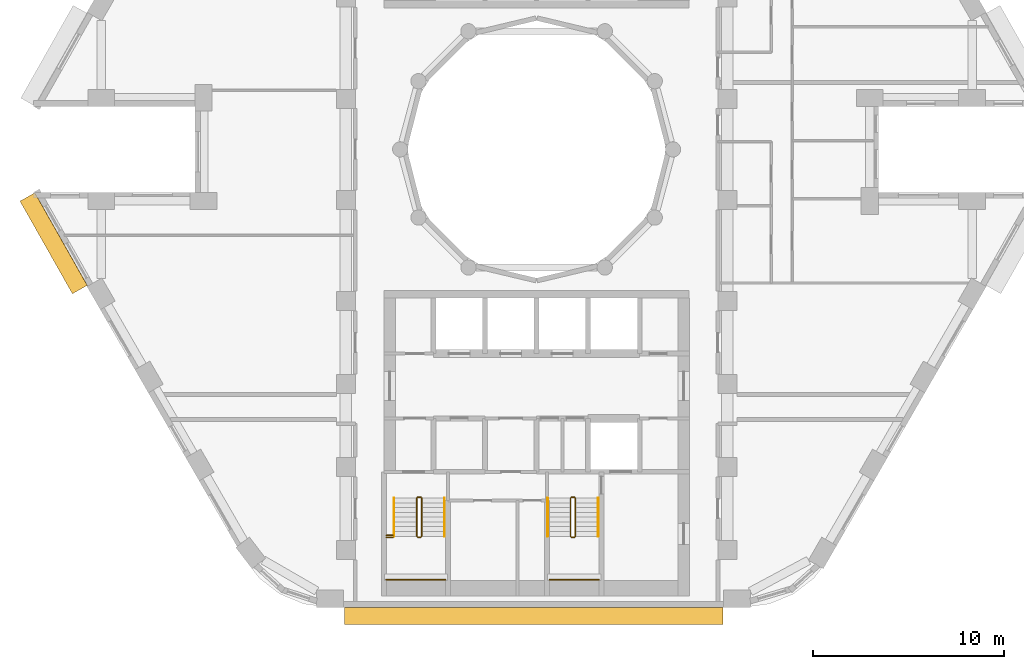
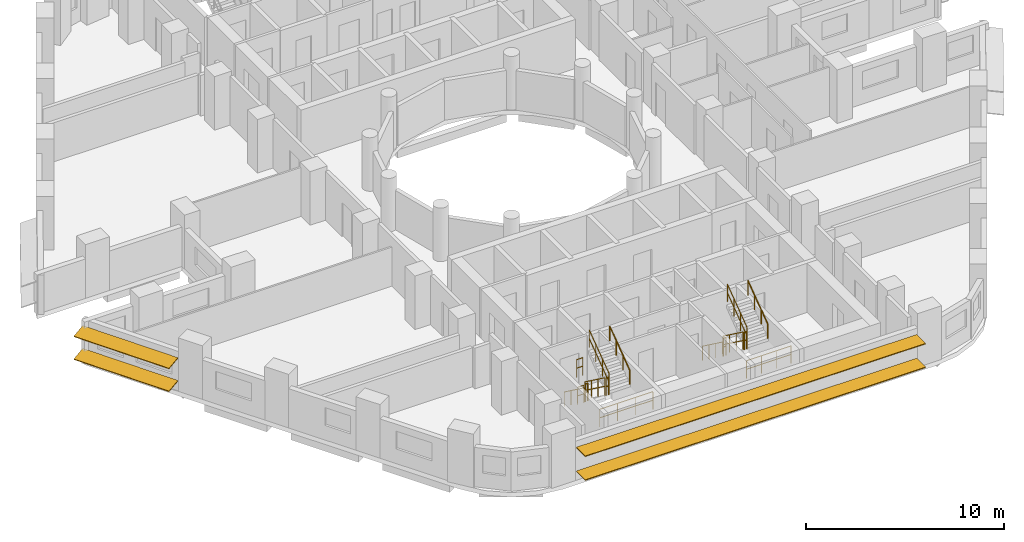
# One storey, part 11 of 13: 16 railings, 4 shading devices.
"""IFC4 building model written with IfcOpenShell, lengths in metres."""

from ifc_helpers import new_model, si_unit, direction, frame, origin, origin_2d, place, context, subcontext, project, spatial, rectangle, circle, extrude, material, material_profile, profile_set, type_object, element, save


model = new_model("IFC4")

# Units and contexts
model_context = context("Model", 3, precision=1e-05, world=origin(), true_north=direction((0.0, 1.0)))
body_context = subcontext(model_context, "Body", "Model", "MODEL_VIEW")
ifc_project = project(units=[si_unit("LENGTHUNIT", "METRE"), si_unit("AREAUNIT", "SQUARE_METRE"), si_unit("VOLUMEUNIT", "CUBIC_METRE"), si_unit("PLANEANGLEUNIT", "RADIAN"), si_unit("MASSUNIT", "GRAM", prefix="KILO")], contexts=[model_context])

# Site, building, storey
site_placement = place(None, origin())
site = spatial("IfcSite", under=ifc_project, at=site_placement, CompositionType="ELEMENT")
building_placement = place(site_placement, origin())
building = spatial("IfcBuilding", under=site, at=building_placement, Name="Nakaniwa Court", CompositionType="ELEMENT")
storey_placement = place(building_placement, frame((0.0, 0.0, 84.300048828125)))
storey = spatial("IfcBuildingStorey", under=building, at=storey_placement, Name="L21", CompositionType="ELEMENT", Elevation=84.300048828125)

# Shading devices
ifc_material_1 = material(Name="Perforated charcoal ceramic louvre blade")
ifc_material_profile = material_profile(ifc_material_1, rectangle(XDim=0.89990234375, YDim=0.050048828125, at=origin_2d()), Name="Perforated ceramic louvre blade")
ifc_profile_set = profile_set([ifc_material_profile], Name="Perforated charcoal ceramic louvre blade")
shading_device_type = type_object("IfcShadingDeviceType", Name="Perforated ceramic louvre blade", PredefinedType="JALOUSIE", material=ifc_profile_set)
for number, where, z_axis, x_axis, name in (
    (1, (53.31689453125, 77.508056640625, 0.550048828125), (0.492438058427, -0.870347493024, 0.0), (0.862701960504, 0.488112256124, 0.132256390257), "L21 perforated ceramic louvre blade w20 1"),
    (2, (53.31689453125, 77.508056640625, 1.95556640625), (0.492438058427, -0.870347493024, 0.0), (0.862701960504, 0.488112256124, 0.132256390257), "L21 perforated ceramic louvre blade w20 2"),
):
    element("IfcShadingDevice", number, at=place(storey_placement, frame(where, z_axis=z_axis, x_axis=x_axis)), inside=storey, type_object=shading_device_type, Name=name, PredefinedType="JALOUSIE", context=body_context, shape_type="SweptSolid", body=[
        extrude(rectangle(XDim=0.89990234375, YDim=0.050048828125, at=origin_2d()), origin(), (0.0, 0.0, 1.0), 5.576416015625),
    ])
for number, where, z_axis, x_axis, name in (
    (3, (69.92138671875, 55.550048828125, 0.550048828125), (1.0, 0.0, 0.0), (0.0, 1.0, 0.0), "L21 perforated ceramic louvre blade w26 1"),
    (4, (69.92138671875, 55.550048828125, 2.014892578125), (1.0, 0.0, 0.0), (0.0, 1.0, 0.0), "L21 perforated ceramic louvre blade w26 2"),
):
    element("IfcShadingDevice", number, at=place(storey_placement, frame(where, z_axis=z_axis, x_axis=x_axis)), inside=storey, type_object=shading_device_type, Name=name, PredefinedType="JALOUSIE", context=body_context, shape_type="SweptSolid", body=[
        extrude(rectangle(XDim=0.89990234375, YDim=0.050048828125, at=origin_2d()), origin(), (0.0, 0.0, 1.0), 19.839599609375),
    ])

# Railings
ifc_material_2 = material(Name="Black powder coated steel guard", Category="steel")
railing_type_1 = type_object("IfcRailingType", Name="Stair guard 1100", PredefinedType="GUARDRAIL", material=ifc_material_2)
railing_1_placement = place(storey_placement, frame((73.72509765625, 61.72509765625, 0.183349609375)))
element("IfcRailing", 5, at=railing_1_placement, inside=storey, type_object=railing_type_1, Name="L21 ST3 stair guard 1", PredefinedType="GUARDRAIL", context=body_context, shape_type="SweptSolid", body=[
    extrude(circle(Radius=0.02392578125, at=origin_2d()), frame((0.0, 0.0, 1.076171875), z_axis=(0.0, -0.806426902644, 0.591333789573), x_axis=(1.0, 0.0, 0.0)), (0.0, 0.0, 1.0), 2.47998046875),
    extrude(circle(Radius=0.02392578125, at=origin_2d()), frame((0.0, 0.0, 0.550048828125), z_axis=(0.0, -0.806426902644, 0.591333789573), x_axis=(1.0, 0.0, 0.0)), (0.0, 0.0, 1.0), 2.47998046875),
    extrude(circle(Radius=0.02099609375, at=origin_2d()), origin(), (0.0, 0.0, 1.0), 1.052001953125),
    extrude(circle(Radius=0.02099609375, at=origin_2d()), frame((0.0, -0.666748046875, 0.48876953125)), (0.0, 0.0, 1.0), 1.052001953125),
    extrude(circle(Radius=0.02099609375, at=origin_2d()), frame((0.0, -1.333251953125, 0.977783203125)), (0.0, 0.0, 1.0), 1.052001953125),
    extrude(circle(Radius=0.02099609375, at=origin_2d()), frame((0.0, -2.0, 1.466552734375)), (0.0, 0.0, 1.0), 1.052001953125),
])
railing_2_placement = place(storey_placement, frame((73.77490234375, 59.675048828125, 1.64990234375)))
element("IfcRailing", 6, at=railing_2_placement, inside=storey, type_object=railing_type_1, Name="L21 ST3 stair guard 2", PredefinedType="GUARDRAIL", context=body_context, shape_type="SweptSolid", body=[
    extrude(circle(Radius=0.02392578125, at=origin_2d()), frame((0.0, 0.0, 1.076171875), z_axis=(1.0, 0.0, 0.0), x_axis=(0.0, 1.0, 0.0)), (0.0, 0.0, 1.0), 0.150146484375),
    extrude(circle(Radius=0.02392578125, at=origin_2d()), frame((0.0, 0.0, 0.550048828125), z_axis=(1.0, 0.0, 0.0), x_axis=(0.0, 1.0, 0.0)), (0.0, 0.0, 1.0), 0.150146484375),
    extrude(circle(Radius=0.02099609375, at=origin_2d()), origin(), (0.0, 0.0, 1.0), 1.052001953125),
    extrude(circle(Radius=0.02099609375, at=origin_2d()), frame((0.150146484375, 0.0, 0.0)), (0.0, 0.0, 1.0), 1.052001953125),
])
railing_3_placement = place(storey_placement, frame((73.97509765625, 59.72509765625, 1.833251953125)))
element("IfcRailing", 7, at=railing_3_placement, inside=storey, type_object=railing_type_1, Name="L21 ST3 stair guard 3", PredefinedType="GUARDRAIL", context=body_context, shape_type="SweptSolid", body=[
    extrude(circle(Radius=0.02392578125, at=origin_2d()), frame((0.0, 0.0, 1.076171875), z_axis=(0.0, 0.806379959628, 0.591397802423), x_axis=(-1.0, 0.0, 0.0)), (0.0, 0.0, 1.0), 2.480224609375),
    extrude(circle(Radius=0.02392578125, at=origin_2d()), frame((0.0, 0.0, 0.550048828125), z_axis=(0.0, 0.806379959628, 0.591397802423), x_axis=(-1.0, 0.0, 0.0)), (0.0, 0.0, 1.0), 2.480224609375),
    extrude(circle(Radius=0.02099609375, at=origin_2d()), origin(), (0.0, 0.0, 1.0), 1.052001953125),
    extrude(circle(Radius=0.02099609375, at=origin_2d()), frame((0.0, 0.666748046875, 0.489013671875)), (0.0, 0.0, 1.0), 1.052001953125),
    extrude(circle(Radius=0.02099609375, at=origin_2d()), frame((0.0, 1.333251953125, 0.977783203125)), (0.0, 0.0, 1.0), 1.052001953125),
    extrude(circle(Radius=0.02099609375, at=origin_2d()), frame((0.0, 2.0, 1.466796875)), (0.0, 0.0, 1.0), 1.052001953125),
])
railing_4_placement = place(storey_placement, frame((73.77490234375, 61.77490234375, 0.0)))
element("IfcRailing", 8, at=railing_4_placement, inside=storey, type_object=railing_type_1, Name="L21 ST3 stair guard 4", PredefinedType="GUARDRAIL", context=body_context, shape_type="SweptSolid", body=[
    extrude(circle(Radius=0.02392578125, at=origin_2d()), frame((0.0, 0.0, 1.076171875), z_axis=(1.0, 0.0, 0.0), x_axis=(0.0, 1.0, 0.0)), (0.0, 0.0, 1.0), 0.150146484375),
    extrude(circle(Radius=0.02392578125, at=origin_2d()), frame((0.0, 0.0, 0.550048828125), z_axis=(1.0, 0.0, 0.0), x_axis=(0.0, 1.0, 0.0)), (0.0, 0.0, 1.0), 0.150146484375),
    extrude(circle(Radius=0.02099609375, at=origin_2d()), origin(), (0.0, 0.0, 1.0), 1.052001953125),
    extrude(circle(Radius=0.02099609375, at=origin_2d()), frame((0.150146484375, 0.0, 0.0)), (0.0, 0.0, 1.0), 1.052001953125),
])
railing_5_placement = place(storey_placement, frame((72.125, 57.449951171875, 1.64990234375)))
element("IfcRailing", 9, at=railing_5_placement, inside=storey, type_object=railing_type_1, Name="L21 ST3 landing end guard 1", PredefinedType="GUARDRAIL", context=body_context, shape_type="SweptSolid", body=[
    extrude(circle(Radius=0.02392578125, at=origin_2d()), frame((0.0, 0.0, 1.076171875), z_axis=(1.0, 0.0, 0.0), x_axis=(0.0, 1.0, 0.0)), (0.0, 0.0, 1.0), 3.10009765625),
    extrude(circle(Radius=0.02392578125, at=origin_2d()), frame((0.0, 0.0, 0.550048828125), z_axis=(1.0, 0.0, 0.0), x_axis=(0.0, 1.0, 0.0)), (0.0, 0.0, 1.0), 3.10009765625),
    extrude(circle(Radius=0.02099609375, at=origin_2d()), origin(), (0.0, 0.0, 1.0), 1.052001953125),
    extrude(circle(Radius=0.02099609375, at=origin_2d()), frame((1.033447265625, 0.0, 0.0)), (0.0, 0.0, 1.0), 1.052001953125),
    extrude(circle(Radius=0.02099609375, at=origin_2d()), frame((2.066650390625, 0.0, 0.0)), (0.0, 0.0, 1.0), 1.052001953125),
    extrude(circle(Radius=0.02099609375, at=origin_2d()), frame((3.10009765625, 0.0, 0.0)), (0.0, 0.0, 1.0), 1.052001953125),
])
for number, where, name in (
    (10, (72.125, 59.675048828125, 1.64990234375), "L21 ST3 landing side guard 1W"),
    (11, (72.125, 59.77490234375, 3.300048828125), "L21 ST3 floor edge guard 1W"),
):
    element("IfcRailing", number, at=place(storey_placement, frame(where)), inside=storey, type_object=railing_type_1, Name=name, PredefinedType="GUARDRAIL", context=body_context, shape_type="SweptSolid", body=[
        extrude(circle(Radius=0.02392578125, at=origin_2d()), frame((0.0, 0.0, 1.076171875), z_axis=(1.0, 0.0, 0.0), x_axis=(0.0, 1.0, 0.0)), (0.0, 0.0, 1.0), 0.35009765625),
        extrude(circle(Radius=0.02392578125, at=origin_2d()), frame((0.0, 0.0, 0.550048828125), z_axis=(1.0, 0.0, 0.0), x_axis=(0.0, 1.0, 0.0)), (0.0, 0.0, 1.0), 0.35009765625),
        extrude(circle(Radius=0.02099609375, at=origin_2d()), origin(), (0.0, 0.0, 1.0), 1.052001953125),
        extrude(circle(Radius=0.02099609375, at=origin_2d()), frame((0.35009765625, 0.0, 0.0)), (0.0, 0.0, 1.0), 1.052001953125),
    ])
railing_6_placement = place(storey_placement, frame((81.77490234375, 61.72509765625, 0.183349609375)))
element("IfcRailing", 12, at=railing_6_placement, inside=storey, type_object=railing_type_1, Name="L21 ST4 stair guard 1", PredefinedType="GUARDRAIL", context=body_context, shape_type="SweptSolid", body=[
    extrude(circle(Radius=0.02392578125, at=origin_2d()), frame((0.0, 0.0, 1.076171875), z_axis=(0.0, -0.806426902644, 0.591333789573), x_axis=(1.0, 0.0, 0.0)), (0.0, 0.0, 1.0), 2.47998046875),
    extrude(circle(Radius=0.02392578125, at=origin_2d()), frame((0.0, 0.0, 0.550048828125), z_axis=(0.0, -0.806426902644, 0.591333789573), x_axis=(1.0, 0.0, 0.0)), (0.0, 0.0, 1.0), 2.47998046875),
    extrude(circle(Radius=0.02099609375, at=origin_2d()), origin(), (0.0, 0.0, 1.0), 1.052001953125),
    extrude(circle(Radius=0.02099609375, at=origin_2d()), frame((0.0, -0.666748046875, 0.48876953125)), (0.0, 0.0, 1.0), 1.052001953125),
    extrude(circle(Radius=0.02099609375, at=origin_2d()), frame((0.0, -1.333251953125, 0.977783203125)), (0.0, 0.0, 1.0), 1.052001953125),
    extrude(circle(Radius=0.02099609375, at=origin_2d()), frame((0.0, -2.0, 1.466552734375)), (0.0, 0.0, 1.0), 1.052001953125),
])
railing_7_placement = place(storey_placement, frame((81.824951171875, 59.675048828125, 1.64990234375)))
element("IfcRailing", 13, at=railing_7_placement, inside=storey, type_object=railing_type_1, Name="L21 ST4 stair guard 2", PredefinedType="GUARDRAIL", context=body_context, shape_type="SweptSolid", body=[
    extrude(circle(Radius=0.02392578125, at=origin_2d()), frame((0.0, 0.0, 1.076171875), z_axis=(1.0, 0.0, 0.0), x_axis=(0.0, 1.0, 0.0)), (0.0, 0.0, 1.0), 0.150146484375),
    extrude(circle(Radius=0.02392578125, at=origin_2d()), frame((0.0, 0.0, 0.550048828125), z_axis=(1.0, 0.0, 0.0), x_axis=(0.0, 1.0, 0.0)), (0.0, 0.0, 1.0), 0.150146484375),
    extrude(circle(Radius=0.02099609375, at=origin_2d()), origin(), (0.0, 0.0, 1.0), 1.052001953125),
    extrude(circle(Radius=0.02099609375, at=origin_2d()), frame((0.150146484375, 0.0, 0.0)), (0.0, 0.0, 1.0), 1.052001953125),
])
railing_8_placement = place(storey_placement, frame((82.02490234375, 59.72509765625, 1.833251953125)))
element("IfcRailing", 14, at=railing_8_placement, inside=storey, type_object=railing_type_1, Name="L21 ST4 stair guard 3", PredefinedType="GUARDRAIL", context=body_context, shape_type="SweptSolid", body=[
    extrude(circle(Radius=0.02392578125, at=origin_2d()), frame((0.0, 0.0, 1.076171875), z_axis=(0.0, 0.806379959628, 0.591397802423), x_axis=(-1.0, 0.0, 0.0)), (0.0, 0.0, 1.0), 2.480224609375),
    extrude(circle(Radius=0.02392578125, at=origin_2d()), frame((0.0, 0.0, 0.550048828125), z_axis=(0.0, 0.806379959628, 0.591397802423), x_axis=(-1.0, 0.0, 0.0)), (0.0, 0.0, 1.0), 2.480224609375),
    extrude(circle(Radius=0.02099609375, at=origin_2d()), origin(), (0.0, 0.0, 1.0), 1.052001953125),
    extrude(circle(Radius=0.02099609375, at=origin_2d()), frame((0.0, 0.666748046875, 0.489013671875)), (0.0, 0.0, 1.0), 1.052001953125),
    extrude(circle(Radius=0.02099609375, at=origin_2d()), frame((0.0, 1.333251953125, 0.977783203125)), (0.0, 0.0, 1.0), 1.052001953125),
    extrude(circle(Radius=0.02099609375, at=origin_2d()), frame((0.0, 2.0, 1.466796875)), (0.0, 0.0, 1.0), 1.052001953125),
])
railing_9_placement = place(storey_placement, frame((81.824951171875, 61.77490234375, 0.0)))
element("IfcRailing", 15, at=railing_9_placement, inside=storey, type_object=railing_type_1, Name="L21 ST4 stair guard 4", PredefinedType="GUARDRAIL", context=body_context, shape_type="SweptSolid", body=[
    extrude(circle(Radius=0.02392578125, at=origin_2d()), frame((0.0, 0.0, 1.076171875), z_axis=(1.0, 0.0, 0.0), x_axis=(0.0, 1.0, 0.0)), (0.0, 0.0, 1.0), 0.150146484375),
    extrude(circle(Radius=0.02392578125, at=origin_2d()), frame((0.0, 0.0, 0.550048828125), z_axis=(1.0, 0.0, 0.0), x_axis=(0.0, 1.0, 0.0)), (0.0, 0.0, 1.0), 0.150146484375),
    extrude(circle(Radius=0.02099609375, at=origin_2d()), origin(), (0.0, 0.0, 1.0), 1.052001953125),
    extrude(circle(Radius=0.02099609375, at=origin_2d()), frame((0.150146484375, 0.0, 0.0)), (0.0, 0.0, 1.0), 1.052001953125),
])
railing_10_placement = place(storey_placement, frame((80.675048828125, 57.449951171875, 1.64990234375)))
element("IfcRailing", 16, at=railing_10_placement, inside=storey, type_object=railing_type_1, Name="L21 ST4 landing end guard 1", PredefinedType="GUARDRAIL", context=body_context, shape_type="SweptSolid", body=[
    extrude(circle(Radius=0.02392578125, at=origin_2d()), frame((0.0, 0.0, 1.076171875), z_axis=(1.0, 0.0, 0.0), x_axis=(0.0, 1.0, 0.0)), (0.0, 0.0, 1.0), 2.599853515625),
    extrude(circle(Radius=0.02392578125, at=origin_2d()), frame((0.0, 0.0, 0.550048828125), z_axis=(1.0, 0.0, 0.0), x_axis=(0.0, 1.0, 0.0)), (0.0, 0.0, 1.0), 2.599853515625),
    extrude(circle(Radius=0.02099609375, at=origin_2d()), origin(), (0.0, 0.0, 1.0), 1.052001953125),
    extrude(circle(Radius=0.02099609375, at=origin_2d()), frame((0.86669921875, 0.0, 0.0)), (0.0, 0.0, 1.0), 1.052001953125),
    extrude(circle(Radius=0.02099609375, at=origin_2d()), frame((1.733154296875, 0.0, 0.0)), (0.0, 0.0, 1.0), 1.052001953125),
    extrude(circle(Radius=0.02099609375, at=origin_2d()), frame((2.599853515625, 0.0, 0.0)), (0.0, 0.0, 1.0), 1.052001953125),
])
ifc_material_3 = material(Name="Black powder coated steel handrail", Category="steel")
railing_type_2 = type_object("IfcRailingType", Name="Stair handrail 900", PredefinedType="HANDRAIL", material=ifc_material_3)
railing_11_placement = place(storey_placement, frame((72.52490234375, 61.72509765625, 0.183349609375)))
element("IfcRailing", 17, at=railing_11_placement, inside=storey, type_object=railing_type_2, Name="L21 ST3 stair handrail 1", PredefinedType="HANDRAIL", context=body_context, shape_type="SweptSolid", body=[
    extrude(circle(Radius=0.02392578125, at=origin_2d()), frame((0.0, 0.0, 0.8759765625), z_axis=(0.0, -0.806426902644, 0.591333789573), x_axis=(1.0, 0.0, 0.0)), (0.0, 0.0, 1.0), 2.47998046875),
    extrude(circle(Radius=0.02099609375, at=origin_2d()), origin(), (0.0, 0.0, 1.0), 0.851806640625),
    extrude(circle(Radius=0.02099609375, at=origin_2d()), frame((0.0, -0.666748046875, 0.48876953125)), (0.0, 0.0, 1.0), 0.851806640625),
    extrude(circle(Radius=0.02099609375, at=origin_2d()), frame((0.0, -1.333251953125, 0.977783203125)), (0.0, 0.0, 1.0), 0.851806640625),
    extrude(circle(Radius=0.02099609375, at=origin_2d()), frame((0.0, -2.0, 1.466552734375)), (0.0, 0.0, 1.0), 0.851806640625),
])
railing_12_placement = place(storey_placement, frame((75.175048828125, 59.72509765625, 1.833251953125)))
element("IfcRailing", 18, at=railing_12_placement, inside=storey, type_object=railing_type_2, Name="L21 ST3 stair handrail 2", PredefinedType="HANDRAIL", context=body_context, shape_type="SweptSolid", body=[
    extrude(circle(Radius=0.02392578125, at=origin_2d()), frame((0.0, 0.0, 0.8759765625), z_axis=(0.0, 0.806379959628, 0.591397802423), x_axis=(-1.0, 0.0, 0.0)), (0.0, 0.0, 1.0), 2.480224609375),
    extrude(circle(Radius=0.02099609375, at=origin_2d()), origin(), (0.0, 0.0, 1.0), 0.851806640625),
    extrude(circle(Radius=0.02099609375, at=origin_2d()), frame((0.0, 0.666748046875, 0.489013671875)), (0.0, 0.0, 1.0), 0.851806640625),
    extrude(circle(Radius=0.02099609375, at=origin_2d()), frame((0.0, 1.333251953125, 0.977783203125)), (0.0, 0.0, 1.0), 0.851806640625),
    extrude(circle(Radius=0.02099609375, at=origin_2d()), frame((0.0, 2.0, 1.466796875)), (0.0, 0.0, 1.0), 0.851806640625),
])
railing_13_placement = place(storey_placement, frame((80.574951171875, 61.72509765625, 0.183349609375)))
element("IfcRailing", 19, at=railing_13_placement, inside=storey, type_object=railing_type_2, Name="L21 ST4 stair handrail 1", PredefinedType="HANDRAIL", context=body_context, shape_type="SweptSolid", body=[
    extrude(circle(Radius=0.02392578125, at=origin_2d()), frame((0.0, 0.0, 0.8759765625), z_axis=(0.0, -0.806426902644, 0.591333789573), x_axis=(1.0, 0.0, 0.0)), (0.0, 0.0, 1.0), 2.47998046875),
    extrude(circle(Radius=0.02099609375, at=origin_2d()), origin(), (0.0, 0.0, 1.0), 0.851806640625),
    extrude(circle(Radius=0.02099609375, at=origin_2d()), frame((0.0, -0.666748046875, 0.48876953125)), (0.0, 0.0, 1.0), 0.851806640625),
    extrude(circle(Radius=0.02099609375, at=origin_2d()), frame((0.0, -1.333251953125, 0.977783203125)), (0.0, 0.0, 1.0), 0.851806640625),
    extrude(circle(Radius=0.02099609375, at=origin_2d()), frame((0.0, -2.0, 1.466552734375)), (0.0, 0.0, 1.0), 0.851806640625),
])
railing_14_placement = place(storey_placement, frame((83.22509765625, 59.72509765625, 1.833251953125)))
element("IfcRailing", 20, at=railing_14_placement, inside=storey, type_object=railing_type_2, Name="L21 ST4 stair handrail 2", PredefinedType="HANDRAIL", context=body_context, shape_type="SweptSolid", body=[
    extrude(circle(Radius=0.02392578125, at=origin_2d()), frame((0.0, 0.0, 0.8759765625), z_axis=(0.0, 0.806379959628, 0.591397802423), x_axis=(-1.0, 0.0, 0.0)), (0.0, 0.0, 1.0), 2.480224609375),
    extrude(circle(Radius=0.02099609375, at=origin_2d()), origin(), (0.0, 0.0, 1.0), 0.851806640625),
    extrude(circle(Radius=0.02099609375, at=origin_2d()), frame((0.0, 0.666748046875, 0.489013671875)), (0.0, 0.0, 1.0), 0.851806640625),
    extrude(circle(Radius=0.02099609375, at=origin_2d()), frame((0.0, 1.333251953125, 0.977783203125)), (0.0, 0.0, 1.0), 0.851806640625),
    extrude(circle(Radius=0.02099609375, at=origin_2d()), frame((0.0, 2.0, 1.466796875)), (0.0, 0.0, 1.0), 0.851806640625),
])

save(model, "model.ifc")
